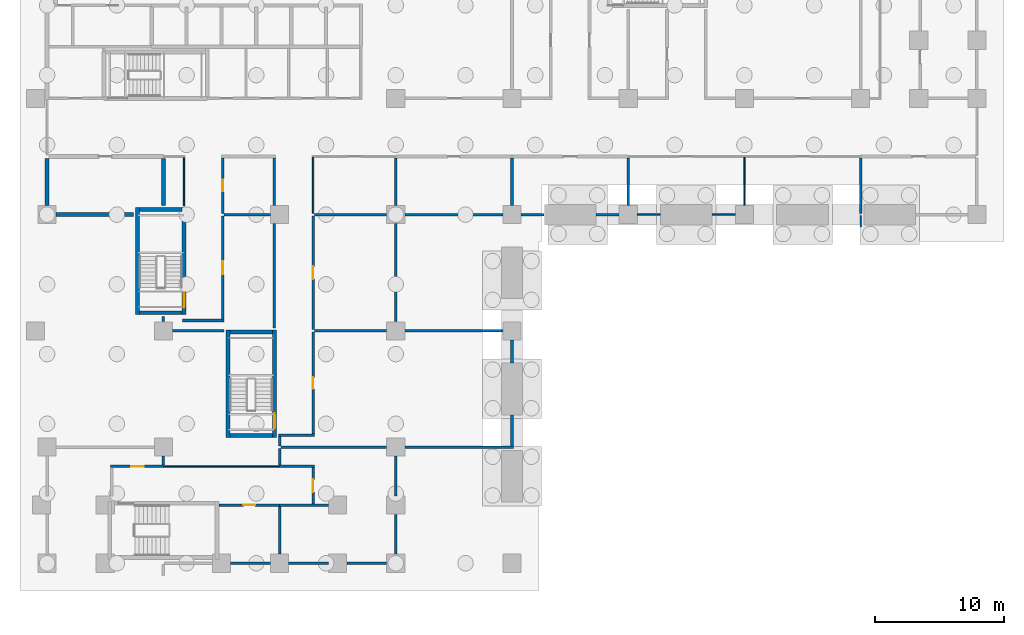
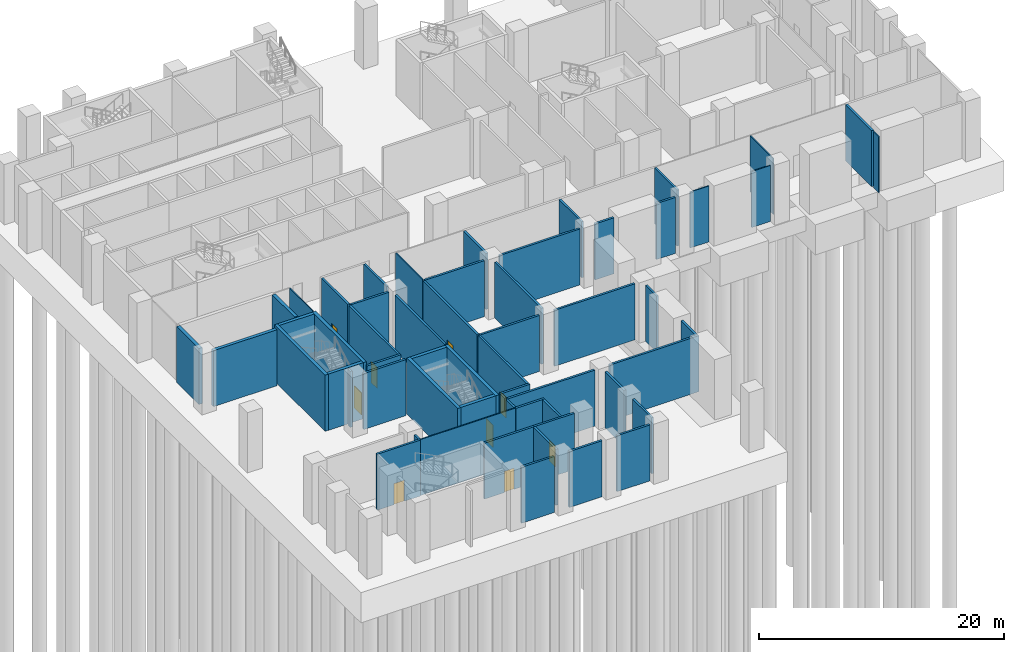
# One storey, part 3 of 12: 58 walls, 9 doors, 9 openings.
"""IFC4 building model written with IfcOpenShell, lengths in metres."""

from ifc_helpers import new_model, si_unit, direction, frame, frame_2d, origin, place, context, subcontext, project, spatial, rectangle, extrude, material, layer, layer_set, type_object, element, fill, save


model = new_model("IFC4")

# Units and contexts
model_context = context("Model", 3, precision=1e-05, world=origin(), true_north=direction((0.0, 1.0)))
body_context = subcontext(model_context, "Body", "Model", "MODEL_VIEW")
ifc_project = project(units=[si_unit("LENGTHUNIT", "METRE"), si_unit("AREAUNIT", "SQUARE_METRE"), si_unit("VOLUMEUNIT", "CUBIC_METRE"), si_unit("PLANEANGLEUNIT", "RADIAN"), si_unit("MASSUNIT", "GRAM", prefix="KILO")], contexts=[model_context])

# Site, building, storey
site_placement = place(None, origin())
site = spatial("IfcSite", under=ifc_project, at=site_placement, CompositionType="ELEMENT")
building_placement = place(site_placement, origin())
building = spatial("IfcBuilding", under=site, at=building_placement, Name="Brondeck Convention Tower", CompositionType="ELEMENT")
storey_placement = place(building_placement, frame((0.0, 0.0, -6.0)))
storey = spatial("IfcBuildingStorey", under=building, at=storey_placement, Name="B1", CompositionType="ELEMENT", Elevation=-6.0)

# Walls
ifc_material_1 = material(Name="Concrete compartment wall C30/37", Category="concrete")
ifc_layer_1 = layer(ifc_material_1, 0.300048828125)
ifc_layer_set_1 = layer_set([ifc_layer_1], Name="Compartment wall 300")
wall_type_1 = type_object("IfcWallType", Name="Compartment wall 300", PredefinedType="PARTITIONING", material=ifc_layer_set_1)
wall_1_placement = place(storey_placement, frame((6.699951171875, 27.0, 0.0), z_axis=(0.0, 0.0, 1.0), x_axis=(-1.0, 0.0, 0.0)))
element("IfcWall", 1, at=wall_1_placement, inside=storey, type_object=wall_type_1, Name="FLR-B1-W038", PredefinedType="PARTITIONING", context=body_context, shape_type="SweptSolid", body=[
    extrude(rectangle(XDim=5.994873046875, YDim=0.300048828125, at=frame_2d((2.99755859375, 0.0))), origin(), (0.0, 0.0, 1.0), 5.580078125),
])
wall_2_placement = place(storey_placement, frame((0.0, 27.705078125, 0.0), z_axis=(0.0, 0.0, 1.0), x_axis=(0.0, 1.0, 0.0)))
element("IfcWall", 2, at=wall_2_placement, inside=storey, type_object=wall_type_1, Name="FLR-B1-W048", PredefinedType="PARTITIONING", context=body_context, shape_type="SweptSolid", body=[
    extrude(rectangle(XDim=3.64501953125, YDim=0.300048828125, at=frame_2d((1.822509765625, 0.0))), origin(), (0.0, 0.0, 1.0), 5.580078125),
])
wall_3_placement = place(storey_placement, frame((9.0, 31.35009765625, 0.0), z_axis=(0.0, 0.0, 1.0), x_axis=(0.0, -1.0, 0.0)))
element("IfcWall", 3, at=wall_3_placement, inside=storey, type_object=wall_type_1, Name="FLR-B1-W052", PredefinedType="PARTITIONING", context=body_context, shape_type="SweptSolid", body=[
    extrude(rectangle(XDim=3.650146484375, YDim=0.300048828125, at=frame_2d((1.8251953125, 0.0))), origin(), (0.0, 0.0, 1.0), 5.580078125),
])
ifc_material_2 = material(Name="Concrete block wall C16/20", Category="concrete")
ifc_layer_2 = layer(ifc_material_2, 0.199951171875)
ifc_layer_set_2 = layer_set([ifc_layer_2], Name="Plant room wall 200")
wall_type_2 = type_object("IfcWallType", Name="Plant room wall 200", PredefinedType="PARTITIONING", material=ifc_layer_set_2)
for number, where, z_axis, x_axis, name in (
    (4, (17.294921875, 0.0, 0.0), (0.0, 0.0, 1.0), (-1.0, 0.0, 0.0), "FLR-B1-W003"),
    (5, (21.794921875, 0.0, 0.0), (0.0, 0.0, 1.0), (-1.0, 0.0, 0.0), "FLR-B1-W004"),
    (6, (26.294921875, 0.0, 0.0), (0.0, 0.0, 1.0), (-1.0, 0.0, 0.0), "FLR-B1-W005"),
    (7, (27.0, 3.794921875, 0.0), (0.0, 0.0, 1.0), (0.0, -1.0, 0.0), "FLR-B1-W007"),
):
    element("IfcWall", number, at=place(storey_placement, frame(where, z_axis=z_axis, x_axis=x_axis)), inside=storey, type_object=wall_type_2, Name=name, PredefinedType="PARTITIONING", context=body_context, shape_type="SweptSolid", body=[
        extrude(rectangle(XDim=3.08984375, YDim=0.199951171875, at=frame_2d((1.544921875, 0.0))), origin(), (0.0, 0.0, 1.0), 5.580078125),
    ])
wall_4_placement = place(storey_placement, frame((18.0, 4.39990234375, 0.0), z_axis=(0.0, 0.0, 1.0), x_axis=(0.0, -1.0, 0.0)))
element("IfcWall", 8, at=wall_4_placement, inside=storey, type_object=wall_type_2, Name="FLR-B1-W008", PredefinedType="PARTITIONING", context=body_context, shape_type="SweptSolid", body=[
    extrude(rectangle(XDim=3.69482421875, YDim=0.199951171875, at=frame_2d((1.847412109375, 0.0))), origin(), (0.0, 0.0, 1.0), 5.580078125),
])

# Wall, opening, door
wall_5_placement = place(storey_placement, frame((18.0, 4.5, 0.0), z_axis=(0.0, 0.0, 1.0), x_axis=(-1.0, 0.0, 0.0)))
wall_5 = element("IfcWall", 9, at=wall_5_placement, inside=storey, type_object=wall_type_2, Name="FLR-B1-W009", PredefinedType="PARTITIONING", context=body_context, shape_type="SweptSolid", body=[
    extrude(rectangle(XDim=4.699951171875, YDim=0.199951171875, at=frame_2d((2.35009765625, 0.0))), origin(), (0.0, 0.0, 1.0), 5.580078125),
])
opening_1_placement = place(wall_5_placement, frame((1.89990234375, 0.0, 0.0)))
opening_1 = element("IfcOpeningElement", 10, at=opening_1_placement, cuts=wall_5, Name="Opening P-B1-001", PredefinedType="OPENING", context=body_context, shape_type="SweptSolid", body=[
    extrude(rectangle(XDim=0.89990234375, YDim=2.10009765625, at=frame_2d((0.449951171875, 1.050048828125))), frame((0.0, 0.10986328125, 0.0), z_axis=(0.0, -1.0, 0.0), x_axis=(1.0, 0.0, 0.0)), (0.0, 0.0, 1.0), 0.219970703125),
])
ifc_material_3 = material(Name="Solid timber door leaf", Category="wood")
door_type_1 = type_object("IfcDoorType", Name="Single door 900", OperationType="NOTDEFINED", PredefinedType="DOOR", material=ifc_material_3)
door_1_placement = place(opening_1_placement, origin())
door_1 = element("IfcDoor", 11, at=door_1_placement, inside=storey, type_object=door_type_1, Name="Door P-B1-001", OperationType="SINGLE_SWING_LEFT", OverallHeight=2.10009765625, OverallWidth=0.89990234375, PredefinedType="DOOR", context=body_context, shape_type="SweptSolid", body=[
    extrude(rectangle(XDim=0.89990234375, YDim=2.10009765625, at=frame_2d((0.449951171875, 1.050048828125))), frame((0.0, 0.02490234375, 0.0), z_axis=(0.0, -1.0, 0.0), x_axis=(1.0, 0.0, 0.0)), (0.0, 0.0, 1.0), 0.050048828125),
])
fill(opening_1, door_1)

# Wall
wall_6_placement = place(storey_placement, frame((21.780029296875, 4.5, 0.0), z_axis=(0.0, 0.0, 1.0), x_axis=(-1.0, 0.0, 0.0)))
element("IfcWall", 12, at=wall_6_placement, inside=storey, type_object=wall_type_2, Name="FLR-B1-W010", PredefinedType="PARTITIONING", context=body_context, shape_type="SweptSolid", body=[
    extrude(rectangle(XDim=3.780029296875, YDim=0.199951171875, at=frame_2d((1.89013671875, 0.0))), origin(), (0.0, 0.0, 1.0), 5.580078125),
])

# Wall, opening, door
wall_7_placement = place(storey_placement, frame((20.60009765625, 7.39990234375, 0.0), z_axis=(0.0, 0.0, 1.0), x_axis=(0.0, -1.0, 0.0)))
wall_7 = element("IfcWall", 13, at=wall_7_placement, inside=storey, type_object=wall_type_2, Name="FLR-B1-W013", PredefinedType="PARTITIONING", context=body_context, shape_type="SweptSolid", body=[
    extrude(rectangle(XDim=2.7998046875, YDim=0.199951171875, at=frame_2d((1.39990234375, 0.0))), origin(), (0.0, 0.0, 1.0), 5.580078125),
])
opening_2_placement = place(wall_7_placement, frame((0.89990234375, 0.0, 0.0)))
opening_2 = element("IfcOpeningElement", 14, at=opening_2_placement, cuts=wall_7, Name="Opening P-B1-003", PredefinedType="OPENING", context=body_context, shape_type="SweptSolid", body=[
    extrude(rectangle(XDim=1.0, YDim=2.10009765625, at=frame_2d((0.5, 1.050048828125))), frame((0.0, 0.10986328125, 0.0), z_axis=(0.0, -1.0, 0.0), x_axis=(1.0, 0.0, 0.0)), (0.0, 0.0, 1.0), 0.219970703125),
])
ifc_material_4 = material(Name="Steel fire door leaf", Category="steel")
door_type_2 = type_object("IfcDoorType", Name="Plant room door 1000", OperationType="NOTDEFINED", PredefinedType="DOOR", material=ifc_material_4)
door_2_placement = place(opening_2_placement, origin())
door_2 = element("IfcDoor", 15, at=door_2_placement, inside=storey, type_object=door_type_2, Name="Door P-B1-003", OperationType="SINGLE_SWING_LEFT", OverallHeight=2.10009765625, OverallWidth=1.0, PredefinedType="DOOR", context=body_context, shape_type="SweptSolid", body=[
    extrude(rectangle(XDim=1.0, YDim=2.10009765625, at=frame_2d((0.5, 1.050048828125))), frame((0.0, 0.02490234375, 0.0), z_axis=(0.0, -1.0, 0.0), x_axis=(1.0, 0.0, 0.0)), (0.0, 0.0, 1.0), 0.050048828125),
])
fill(opening_2, door_2)

wall_8_placement = place(storey_placement, frame((4.89990234375, 7.5, 0.0), z_axis=(0.0, 0.0, 1.0), x_axis=(1.0, 0.0, 0.0)))
wall_8 = element("IfcWall", 16, at=wall_8_placement, inside=storey, type_object=wall_type_2, Name="FLR-B1-W014", PredefinedType="PARTITIONING", context=body_context, shape_type="SweptSolid", body=[
    extrude(rectangle(XDim=4.10009765625, YDim=0.199951171875, at=frame_2d((2.050048828125, 0.0))), origin(), (0.0, 0.0, 1.0), 5.580078125),
])
opening_3_placement = place(wall_8_placement, frame((1.60009765625, 0.0, 0.0)))
opening_3 = element("IfcOpeningElement", 17, at=opening_3_placement, cuts=wall_8, Name="Opening P-B1-002", PredefinedType="OPENING", context=body_context, shape_type="SweptSolid", body=[
    extrude(rectangle(XDim=1.0, YDim=2.10009765625, at=frame_2d((0.5, 1.050048828125))), frame((0.0, 0.10986328125, 0.0), z_axis=(0.0, -1.0, 0.0), x_axis=(1.0, 0.0, 0.0)), (0.0, 0.0, 1.0), 0.219970703125),
])
door_3_placement = place(opening_3_placement, origin())
door_3 = element("IfcDoor", 18, at=door_3_placement, inside=storey, type_object=door_type_2, Name="Door P-B1-002", OperationType="SINGLE_SWING_LEFT", OverallHeight=2.10009765625, OverallWidth=1.0, PredefinedType="DOOR", context=body_context, shape_type="SweptSolid", body=[
    extrude(rectangle(XDim=1.0, YDim=2.10009765625, at=frame_2d((0.5, 1.050048828125))), frame((0.0, 0.02490234375, 0.0), z_axis=(0.0, -1.0, 0.0), x_axis=(1.0, 0.0, 0.0)), (0.0, 0.0, 1.0), 0.050048828125),
])
fill(opening_3, door_3)

# Walls
wall_9_placement = place(storey_placement, frame((18.0, 7.5, 0.0), z_axis=(0.0, 0.0, 1.0), x_axis=(1.0, 0.0, 0.0)))
element("IfcWall", 19, at=wall_9_placement, inside=storey, type_object=wall_type_2, Name="FLR-B1-W016", PredefinedType="PARTITIONING", context=body_context, shape_type="SweptSolid", body=[
    extrude(rectangle(XDim=2.699951171875, YDim=0.199951171875, at=frame_2d((1.35009765625, 0.0))), origin(), (0.0, 0.0, 1.0), 5.580078125),
])
wall_10_placement = place(storey_placement, frame((18.0, 7.60009765625, 0.0), z_axis=(0.0, 0.0, 1.0), x_axis=(0.0, 1.0, 0.0)))
element("IfcWall", 20, at=wall_10_placement, inside=storey, type_object=wall_type_2, Name="FLR-B1-W017", PredefinedType="PARTITIONING", context=body_context, shape_type="SweptSolid", body=[
    extrude(rectangle(XDim=1.2998046875, YDim=0.199951171875, at=frame_2d((0.64990234375, 0.0))), origin(), (0.0, 0.0, 1.0), 5.580078125),
])
wall_11_placement = place(storey_placement, frame((9.0, 8.294921875, 0.0), z_axis=(0.0, 0.0, 1.0), x_axis=(0.0, -1.0, 0.0)))
element("IfcWall", 21, at=wall_11_placement, inside=storey, type_object=wall_type_2, Name="FLR-B1-W018", PredefinedType="PARTITIONING", context=body_context, shape_type="SweptSolid", body=[
    extrude(rectangle(XDim=0.69482421875, YDim=0.199951171875, at=frame_2d((0.347412109375, 0.0))), origin(), (0.0, 0.0, 1.0), 5.580078125),
])
wall_12_placement = place(storey_placement, frame((27.0, 8.294921875, 0.0), z_axis=(0.0, 0.0, 1.0), x_axis=(0.0, -1.0, 0.0)))
element("IfcWall", 22, at=wall_12_placement, inside=storey, type_object=wall_type_2, Name="FLR-B1-W019", PredefinedType="PARTITIONING", context=body_context, shape_type="SweptSolid", body=[
    extrude(rectangle(XDim=3.08984375, YDim=0.199951171875, at=frame_2d((1.544921875, 0.0))), origin(), (0.0, 0.0, 1.0), 5.580078125),
])
wall_13_placement = place(storey_placement, frame((18.10009765625, 9.0, 0.0), z_axis=(0.0, 0.0, 1.0), x_axis=(1.0, 0.0, 0.0)))
element("IfcWall", 23, at=wall_13_placement, inside=storey, type_object=wall_type_2, Name="FLR-B1-W021", PredefinedType="PARTITIONING", context=body_context, shape_type="SweptSolid", body=[
    extrude(rectangle(XDim=8.19482421875, YDim=0.199951171875, at=frame_2d((4.097412109375, 0.0))), origin(), (0.0, 0.0, 1.0), 5.580078125),
])
wall_14_placement = place(storey_placement, frame((36.10009765625, 9.0, 0.0), z_axis=(0.0, 0.0, 1.0), x_axis=(-1.0, 0.0, 0.0)))
element("IfcWall", 24, at=wall_14_placement, inside=storey, type_object=wall_type_2, Name="FLR-B1-W022", PredefinedType="PARTITIONING", context=body_context, shape_type="SweptSolid", body=[
    extrude(rectangle(XDim=8.39501953125, YDim=0.199951171875, at=frame_2d((4.197509765625, 0.0))), origin(), (0.0, 0.0, 1.0), 5.580078125),
])
wall_15_placement = place(storey_placement, frame((18.0, 9.10009765625, 0.0), z_axis=(0.0, 0.0, 1.0), x_axis=(0.0, 1.0, 0.0)))
element("IfcWall", 25, at=wall_15_placement, inside=storey, type_object=wall_type_2, Name="FLR-B1-W023", PredefinedType="PARTITIONING", context=body_context, shape_type="SweptSolid", body=[
    extrude(rectangle(XDim=0.699951171875, YDim=0.199951171875, at=frame_2d((0.35009765625, 0.0))), origin(), (0.0, 0.0, 1.0), 5.580078125),
])
wall_16_placement = place(storey_placement, frame((20.699951171875, 9.89990234375, 0.0), z_axis=(0.0, 0.0, 1.0), x_axis=(-1.0, 0.0, 0.0)))
element("IfcWall", 26, at=wall_16_placement, inside=storey, type_object=wall_type_2, Name="FLR-B1-W024", PredefinedType="PARTITIONING", context=body_context, shape_type="SweptSolid", body=[
    extrude(rectangle(XDim=2.800048828125, YDim=0.199951171875, at=frame_2d((1.39990234375, 0.0))), origin(), (0.0, 0.0, 1.0), 5.580078125),
])
wall_17_placement = place(storey_placement, frame((36.0, 11.4951171875, 0.0), z_axis=(0.0, 0.0, 1.0), x_axis=(0.0, -1.0, 0.0)))
element("IfcWall", 27, at=wall_17_placement, inside=storey, type_object=wall_type_2, Name="FLR-B1-W025", PredefinedType="PARTITIONING", context=body_context, shape_type="SweptSolid", body=[
    extrude(rectangle(XDim=2.39501953125, YDim=0.199951171875, at=frame_2d((1.197509765625, 0.0))), origin(), (0.0, 0.0, 1.0), 5.580078125),
])
wall_18_placement = place(storey_placement, frame((36.0, 17.294921875, 0.0), z_axis=(0.0, 0.0, 1.0), x_axis=(0.0, -1.0, 0.0)))
element("IfcWall", 28, at=wall_18_placement, inside=storey, type_object=wall_type_2, Name="FLR-B1-W026", PredefinedType="PARTITIONING", context=body_context, shape_type="SweptSolid", body=[
    extrude(rectangle(XDim=1.7900390625, YDim=0.199951171875, at=frame_2d((0.89501953125, 0.0))), origin(), (0.0, 0.0, 1.0), 5.580078125),
])

# Wall, opening, door
wall_19_placement = place(storey_placement, frame((20.60009765625, 17.89990234375, 0.0), z_axis=(0.0, 0.0, 1.0), x_axis=(0.0, -1.0, 0.0)))
wall_19 = element("IfcWall", 29, at=wall_19_placement, inside=storey, type_object=wall_type_2, Name="FLR-B1-W027", PredefinedType="PARTITIONING", context=body_context, shape_type="SweptSolid", body=[
    extrude(rectangle(XDim=7.89990234375, YDim=0.199951171875, at=frame_2d((3.949951171875, 0.0))), origin(), (0.0, 0.0, 1.0), 5.580078125),
])
opening_4_placement = place(wall_19_placement, frame((3.5, 0.0, 0.0)))
opening_4 = element("IfcOpeningElement", 30, at=opening_4_placement, cuts=wall_19, Name="Opening P-B1-004", PredefinedType="OPENING", context=body_context, shape_type="SweptSolid", body=[
    extrude(rectangle(XDim=0.89990234375, YDim=2.10009765625, at=frame_2d((0.449951171875, 1.050048828125))), frame((0.0, 0.10986328125, 0.0), z_axis=(0.0, -1.0, 0.0), x_axis=(1.0, 0.0, 0.0)), (0.0, 0.0, 1.0), 0.219970703125),
])
door_4_placement = place(opening_4_placement, origin())
door_4 = element("IfcDoor", 31, at=door_4_placement, inside=storey, type_object=door_type_1, Name="Door P-B1-004", OperationType="SINGLE_SWING_RIGHT", OverallHeight=2.10009765625, OverallWidth=0.89990234375, PredefinedType="DOOR", context=body_context, shape_type="SweptSolid", body=[
    extrude(rectangle(XDim=0.89990234375, YDim=2.10009765625, at=frame_2d((0.449951171875, 1.050048828125))), frame((0.0, 0.02490234375, 0.0), z_axis=(0.0, -1.0, 0.0), x_axis=(1.0, 0.0, 0.0)), (0.0, 0.0, 1.0), 0.050048828125),
])
fill(opening_4, door_4)

# Walls
wall_20_placement = place(storey_placement, frame((13.699951171875, 18.0, 0.0), z_axis=(0.0, 0.0, 1.0), x_axis=(-1.0, 0.0, 0.0)))
element("IfcWall", 32, at=wall_20_placement, inside=storey, type_object=wall_type_2, Name="FLR-B1-W028", PredefinedType="PARTITIONING", context=body_context, shape_type="SweptSolid", body=[
    extrude(rectangle(XDim=3.994873046875, YDim=0.199951171875, at=frame_2d((1.99755859375, 0.0))), origin(), (0.0, 0.0, 1.0), 5.580078125),
])
wall_21_placement = place(storey_placement, frame((20.699951171875, 18.0, 0.0), z_axis=(0.0, 0.0, 1.0), x_axis=(1.0, 0.0, 0.0)))
element("IfcWall", 33, at=wall_21_placement, inside=storey, type_object=wall_type_2, Name="FLR-B1-W029", PredefinedType="PARTITIONING", context=body_context, shape_type="SweptSolid", body=[
    extrude(rectangle(XDim=5.594970703125, YDim=0.199951171875, at=frame_2d((2.79736328125, 0.0))), origin(), (0.0, 0.0, 1.0), 5.580078125),
])
wall_22_placement = place(storey_placement, frame((27.705078125, 18.0, 0.0), z_axis=(0.0, 0.0, 1.0), x_axis=(1.0, 0.0, 0.0)))
element("IfcWall", 34, at=wall_22_placement, inside=storey, type_object=wall_type_2, Name="FLR-B1-W030", PredefinedType="PARTITIONING", context=body_context, shape_type="SweptSolid", body=[
    extrude(rectangle(XDim=7.58984375, YDim=0.199951171875, at=frame_2d((3.794921875, 0.0))), origin(), (0.0, 0.0, 1.0), 5.580078125),
])
wall_23_placement = place(storey_placement, frame((17.60009765625, 18.199951171875, 0.0), z_axis=(0.0, 0.0, 1.0), x_axis=(0.0, 1.0, 0.0)))
element("IfcWall", 35, at=wall_23_placement, inside=storey, type_object=wall_type_2, Name="FLR-B1-W031", PredefinedType="PARTITIONING", context=body_context, shape_type="SweptSolid", body=[
    extrude(rectangle(XDim=8.094970703125, YDim=0.199951171875, at=frame_2d((4.04736328125, 0.0))), origin(), (0.0, 0.0, 1.0), 5.580078125),
])
wall_24_placement = place(storey_placement, frame((9.0, 18.705078125, 0.0), z_axis=(0.0, 0.0, 1.0), x_axis=(0.0, 1.0, 0.0)))
element("IfcWall", 36, at=wall_24_placement, inside=storey, type_object=wall_type_2, Name="FLR-B1-W032", PredefinedType="PARTITIONING", context=body_context, shape_type="SweptSolid", body=[
    extrude(rectangle(XDim=0.39501953125, YDim=0.199951171875, at=frame_2d((0.197509765625, 0.0))), origin(), (0.0, 0.0, 1.0), 5.580078125),
])
wall_25_placement = place(storey_placement, frame((13.699951171875, 18.800048828125, 0.0), z_axis=(0.0, 0.0, 1.0), x_axis=(-1.0, 0.0, 0.0)))
element("IfcWall", 37, at=wall_25_placement, inside=storey, type_object=wall_type_2, Name="FLR-B1-W033", PredefinedType="PARTITIONING", context=body_context, shape_type="SweptSolid", body=[
    extrude(rectangle(XDim=3.199951171875, YDim=0.199951171875, at=frame_2d((1.60009765625, 0.0))), origin(), (0.0, 0.0, 1.0), 5.580078125),
])
wall_26_placement = place(storey_placement, frame((27.0, 26.294921875, 0.0), z_axis=(0.0, 0.0, 1.0), x_axis=(0.0, -1.0, 0.0)))
element("IfcWall", 38, at=wall_26_placement, inside=storey, type_object=wall_type_2, Name="FLR-B1-W034", PredefinedType="PARTITIONING", context=body_context, shape_type="SweptSolid", body=[
    extrude(rectangle(XDim=7.58984375, YDim=0.199951171875, at=frame_2d((3.794921875, 0.0))), origin(), (0.0, 0.0, 1.0), 5.580078125),
])

# Wall, opening, door
wall_27_placement = place(storey_placement, frame((13.60009765625, 26.89990234375, 0.0), z_axis=(0.0, 0.0, 1.0), x_axis=(0.0, -1.0, 0.0)))
wall_27 = element("IfcWall", 39, at=wall_27_placement, inside=storey, type_object=wall_type_2, Name="FLR-B1-W035", PredefinedType="PARTITIONING", context=body_context, shape_type="SweptSolid", body=[
    extrude(rectangle(XDim=8.0, YDim=0.199951171875, at=frame_2d((4.0, 0.0))), origin(), (0.0, 0.0, 1.0), 5.580078125),
])
opening_5_placement = place(wall_27_placement, frame((3.5, 0.0, 0.0)))
opening_5 = element("IfcOpeningElement", 40, at=opening_5_placement, cuts=wall_27, Name="Opening P-B1-005", PredefinedType="OPENING", context=body_context, shape_type="SweptSolid", body=[
    extrude(rectangle(XDim=1.0, YDim=2.10009765625, at=frame_2d((0.5, 1.050048828125))), frame((0.0, 0.10986328125, 0.0), z_axis=(0.0, -1.0, 0.0), x_axis=(1.0, 0.0, 0.0)), (0.0, 0.0, 1.0), 0.219970703125),
])
door_5_placement = place(opening_5_placement, origin())
door_5 = element("IfcDoor", 41, at=door_5_placement, inside=storey, type_object=door_type_2, Name="Door P-B1-005", OperationType="SINGLE_SWING_LEFT", OverallHeight=2.10009765625, OverallWidth=1.0, PredefinedType="DOOR", context=body_context, shape_type="SweptSolid", body=[
    extrude(rectangle(XDim=1.0, YDim=2.10009765625, at=frame_2d((0.5, 1.050048828125))), frame((0.0, 0.02490234375, 0.0), z_axis=(0.0, -1.0, 0.0), x_axis=(1.0, 0.0, 0.0)), (0.0, 0.0, 1.0), 0.050048828125),
])
fill(opening_5, door_5)

wall_28_placement = place(storey_placement, frame((20.60009765625, 26.89990234375, 0.0), z_axis=(0.0, 0.0, 1.0), x_axis=(0.0, -1.0, 0.0)))
wall_28 = element("IfcWall", 42, at=wall_28_placement, inside=storey, type_object=wall_type_2, Name="FLR-B1-W036", PredefinedType="PARTITIONING", context=body_context, shape_type="SweptSolid", body=[
    extrude(rectangle(XDim=8.7998046875, YDim=0.199951171875, at=frame_2d((4.39990234375, 0.0))), origin(), (0.0, 0.0, 1.0), 5.580078125),
])
opening_6_placement = place(wall_28_placement, frame((3.89990234375, 0.0, 0.0)))
opening_6 = element("IfcOpeningElement", 43, at=opening_6_placement, cuts=wall_28, Name="Opening P-B1-006", PredefinedType="OPENING", context=body_context, shape_type="SweptSolid", body=[
    extrude(rectangle(XDim=1.0, YDim=2.10009765625, at=frame_2d((0.5, 1.050048828125))), frame((0.0, 0.10986328125, 0.0), z_axis=(0.0, -1.0, 0.0), x_axis=(1.0, 0.0, 0.0)), (0.0, 0.0, 1.0), 0.219970703125),
])
door_6_placement = place(opening_6_placement, origin())
door_6 = element("IfcDoor", 44, at=door_6_placement, inside=storey, type_object=door_type_2, Name="Door P-B1-006", OperationType="SINGLE_SWING_LEFT", OverallHeight=2.10009765625, OverallWidth=1.0, PredefinedType="DOOR", context=body_context, shape_type="SweptSolid", body=[
    extrude(rectangle(XDim=1.0, YDim=2.10009765625, at=frame_2d((0.5, 1.050048828125))), frame((0.0, 0.02490234375, 0.0), z_axis=(0.0, -1.0, 0.0), x_axis=(1.0, 0.0, 0.0)), (0.0, 0.0, 1.0), 0.050048828125),
])
fill(opening_6, door_6)

# Walls
wall_29_placement = place(storey_placement, frame((13.699951171875, 27.0, 0.0), z_axis=(0.0, 0.0, 1.0), x_axis=(1.0, 0.0, 0.0)))
element("IfcWall", 45, at=wall_29_placement, inside=storey, type_object=wall_type_2, Name="FLR-B1-W039", PredefinedType="PARTITIONING", context=body_context, shape_type="SweptSolid", body=[
    extrude(rectangle(XDim=3.594970703125, YDim=0.199951171875, at=frame_2d((1.79736328125, 0.0))), origin(), (0.0, 0.0, 1.0), 5.580078125),
])
wall_30_placement = place(storey_placement, frame((20.699951171875, 27.0, 0.0), z_axis=(0.0, 0.0, 1.0), x_axis=(1.0, 0.0, 0.0)))
element("IfcWall", 46, at=wall_30_placement, inside=storey, type_object=wall_type_2, Name="FLR-B1-W040", PredefinedType="PARTITIONING", context=body_context, shape_type="SweptSolid", body=[
    extrude(rectangle(XDim=5.594970703125, YDim=0.199951171875, at=frame_2d((2.79736328125, 0.0))), origin(), (0.0, 0.0, 1.0), 5.580078125),
])
wall_31_placement = place(storey_placement, frame((35.294921875, 27.0, 0.0), z_axis=(0.0, 0.0, 1.0), x_axis=(-1.0, 0.0, 0.0)))
element("IfcWall", 47, at=wall_31_placement, inside=storey, type_object=wall_type_2, Name="FLR-B1-W041", PredefinedType="PARTITIONING", context=body_context, shape_type="SweptSolid", body=[
    extrude(rectangle(XDim=7.58984375, YDim=0.199951171875, at=frame_2d((3.794921875, 0.0))), origin(), (0.0, 0.0, 1.0), 5.580078125),
])
for number, where, z_axis, x_axis, name in (
    (48, (38.4951171875, 27.0, 0.0), (0.0, 0.0, 1.0), (-1.0, 0.0, 0.0), "FLR-B1-W042"),
    (49, (44.294921875, 27.0, 0.0), (0.0, 0.0, 1.0), (-1.0, 0.0, 0.0), "FLR-B1-W043"),
):
    element("IfcWall", number, at=place(storey_placement, frame(where, z_axis=z_axis, x_axis=x_axis)), inside=storey, type_object=wall_type_2, Name=name, PredefinedType="PARTITIONING", context=body_context, shape_type="SweptSolid", body=[
        extrude(rectangle(XDim=1.7900390625, YDim=0.199951171875, at=frame_2d((0.89501953125, 0.0))), origin(), (0.0, 0.0, 1.0), 5.580078125),
    ])
for number, where, z_axis, x_axis, name in (
    (50, (17.60009765625, 27.705078125, 0.0), (0.0, 0.0, 1.0), (0.0, 1.0, 0.0), "FLR-B1-W049"),
    (51, (27.0, 27.705078125, 0.0), (0.0, 0.0, 1.0), (0.0, 1.0, 0.0), "FLR-B1-W050"),
):
    element("IfcWall", number, at=place(storey_placement, frame(where, z_axis=z_axis, x_axis=x_axis)), inside=storey, type_object=wall_type_2, Name=name, PredefinedType="PARTITIONING", context=body_context, shape_type="SweptSolid", body=[
        extrude(rectangle(XDim=3.69482421875, YDim=0.199951171875, at=frame_2d((1.847412109375, 0.0))), origin(), (0.0, 0.0, 1.0), 5.580078125),
    ])

# Wall, opening, door
wall_32_placement = place(storey_placement, frame((13.60009765625, 31.39990234375, 0.0), z_axis=(0.0, 0.0, 1.0), x_axis=(0.0, -1.0, 0.0)))
wall_32 = element("IfcWall", 52, at=wall_32_placement, inside=storey, type_object=wall_type_2, Name="FLR-B1-W053", PredefinedType="PARTITIONING", context=body_context, shape_type="SweptSolid", body=[
    extrude(rectangle(XDim=4.2998046875, YDim=0.199951171875, at=frame_2d((2.14990234375, 0.0))), origin(), (0.0, 0.0, 1.0), 5.580078125),
])
opening_7_placement = place(wall_32_placement, frame((1.699951171875, 0.0, 0.0)))
opening_7 = element("IfcOpeningElement", 53, at=opening_7_placement, cuts=wall_32, Name="Opening P-B1-008", PredefinedType="OPENING", context=body_context, shape_type="SweptSolid", body=[
    extrude(rectangle(XDim=0.89990234375, YDim=2.10009765625, at=frame_2d((0.449951171875, 1.050048828125))), frame((0.0, 0.10986328125, 0.0), z_axis=(0.0, -1.0, 0.0), x_axis=(1.0, 0.0, 0.0)), (0.0, 0.0, 1.0), 0.219970703125),
])
door_7_placement = place(opening_7_placement, origin())
door_7 = element("IfcDoor", 54, at=door_7_placement, inside=storey, type_object=door_type_1, Name="Door P-B1-008", OperationType="SINGLE_SWING_LEFT", OverallHeight=2.10009765625, OverallWidth=0.89990234375, PredefinedType="DOOR", context=body_context, shape_type="SweptSolid", body=[
    extrude(rectangle(XDim=0.89990234375, YDim=2.10009765625, at=frame_2d((0.449951171875, 1.050048828125))), frame((0.0, 0.02490234375, 0.0), z_axis=(0.0, -1.0, 0.0), x_axis=(1.0, 0.0, 0.0)), (0.0, 0.0, 1.0), 0.050048828125),
])
fill(opening_7, door_7)

# Walls
for number, where, z_axis, x_axis, name in (
    (55, (36.0, 31.39990234375, 0.0), (0.0, 0.0, 1.0), (0.0, -1.0, 0.0), "FLR-B1-W054"),
    (56, (45.0, 31.39990234375, 0.0), (0.0, 0.0, 1.0), (0.0, -1.0, 0.0), "FLR-B1-W055"),
):
    element("IfcWall", number, at=place(storey_placement, frame(where, z_axis=z_axis, x_axis=x_axis)), inside=storey, type_object=wall_type_2, Name=name, PredefinedType="PARTITIONING", context=body_context, shape_type="SweptSolid", body=[
        extrude(rectangle(XDim=3.69482421875, YDim=0.199951171875, at=frame_2d((1.847412109375, 0.0))), origin(), (0.0, 0.0, 1.0), 5.580078125),
    ])
wall_33_placement = place(storey_placement, frame((63.0, 31.39990234375, 0.0), z_axis=(0.0, 0.0, 1.0), x_axis=(0.0, -1.0, 0.0)))
element("IfcWall", 57, at=wall_33_placement, inside=storey, type_object=wall_type_2, Name="FLR-B1-W056", PredefinedType="PARTITIONING", context=body_context, shape_type="SweptSolid", body=[
    extrude(rectangle(XDim=4.2998046875, YDim=0.199951171875, at=frame_2d((2.14990234375, 0.0))), origin(), (0.0, 0.0, 1.0), 5.580078125),
])
ifc_material_5 = material(Name="Gypsum board partition on steel studs", Category="steel")
ifc_layer_3 = layer(ifc_material_5, 0.10009765625)
ifc_layer_set_3 = layer_set([ifc_layer_3], Name="Room partition 100")
wall_type_3 = type_object("IfcWallType", Name="Room partition 100", PredefinedType="PARTITIONING", material=ifc_layer_set_3)
wall_34_placement = place(storey_placement, frame((9.0, 7.5, 0.0), z_axis=(0.0, 0.0, 1.0), x_axis=(1.0, 0.0, 0.0)))
element("IfcWall", 58, at=wall_34_placement, inside=storey, type_object=wall_type_3, Name="FLR-B1-W015", PredefinedType="PARTITIONING", context=body_context, shape_type="SweptSolid", body=[
    extrude(rectangle(XDim=9.0, YDim=0.10009765625, at=frame_2d((4.5, 0.0))), origin(), (0.0, 0.0, 1.0), 5.580078125),
])
wall_35_placement = place(storey_placement, frame((63.0, 26.89990234375, 0.0), z_axis=(0.0, 0.0, 1.0), x_axis=(0.0, -1.0, 0.0)))
element("IfcWall", 59, at=wall_35_placement, inside=storey, type_object=wall_type_3, Name="FLR-B1-W037", PredefinedType="PARTITIONING", context=body_context, shape_type="SweptSolid", body=[
    extrude(rectangle(XDim=0.829833984375, YDim=0.10009765625, at=frame_2d((0.4150390625, 0.0))), origin(), (0.0, 0.0, 1.0), 5.580078125),
])
for number, where, z_axis, x_axis, name in (
    (60, (47.4951171875, 27.0, 0.0), (0.0, 0.0, 1.0), (-1.0, 0.0, 0.0), "FLR-B1-W044"),
    (61, (53.294921875, 27.0, 0.0), (0.0, 0.0, 1.0), (-1.0, 0.0, 0.0), "FLR-B1-W045"),
):
    element("IfcWall", number, at=place(storey_placement, frame(where, z_axis=z_axis, x_axis=x_axis)), inside=storey, type_object=wall_type_3, Name=name, PredefinedType="PARTITIONING", context=body_context, shape_type="SweptSolid", body=[
        extrude(rectangle(XDim=1.7900390625, YDim=0.10009765625, at=frame_2d((0.89501953125, 0.0))), origin(), (0.0, 0.0, 1.0), 5.580078125),
    ])
wall_36_placement = place(storey_placement, frame((10.60009765625, 27.699951171875, 0.0), z_axis=(0.0, 0.0, 1.0), x_axis=(0.0, 1.0, 0.0)))
element("IfcWall", 62, at=wall_36_placement, inside=storey, type_object=wall_type_3, Name="FLR-B1-W047", PredefinedType="PARTITIONING", context=body_context, shape_type="SweptSolid", body=[
    extrude(rectangle(XDim=3.75, YDim=0.10009765625, at=frame_2d((1.875, 0.0))), origin(), (0.0, 0.0, 1.0), 5.580078125),
])
wall_37_placement = place(storey_placement, frame((54.0, 27.705078125, 0.0), z_axis=(0.0, 0.0, 1.0), x_axis=(0.0, 1.0, 0.0)))
element("IfcWall", 63, at=wall_37_placement, inside=storey, type_object=wall_type_3, Name="FLR-B1-W051", PredefinedType="PARTITIONING", context=body_context, shape_type="SweptSolid", body=[
    extrude(rectangle(XDim=3.744873046875, YDim=0.10009765625, at=frame_2d((1.87255859375, 0.0))), origin(), (0.0, 0.0, 1.0), 5.580078125),
])
wall_38_placement = place(storey_placement, frame((20.60009765625, 31.449951171875, 0.0), z_axis=(0.0, 0.0, 1.0), x_axis=(0.0, -1.0, 0.0)))
element("IfcWall", 64, at=wall_38_placement, inside=storey, type_object=wall_type_3, Name="FLR-B1-W058", PredefinedType="PARTITIONING", context=body_context, shape_type="SweptSolid", body=[
    extrude(rectangle(XDim=4.349853515625, YDim=0.10009765625, at=frame_2d((2.1748046875, 0.0))), origin(), (0.0, 0.0, 1.0), 5.580078125),
])
ifc_material_6 = material(Name="Concrete C80/95", Category="concrete")
ifc_layer_4 = layer(ifc_material_6, 0.300048828125)
ifc_layer_set_4 = layer_set([ifc_layer_4], Name="Stair enclosure wall 300 Concrete C80/95")
wall_type_4 = type_object("IfcWallType", Name="Stair enclosure wall 300 Concrete C80/95", PredefinedType="SHEAR", material=ifc_layer_set_4)
for number, where, z_axis, x_axis, name in (
    (65, (14.14990234375, 9.89990234375, 0.0), (0.0, 0.0, 1.0), (1.0, 0.0, 0.0), "B1 core wall"),
    (66, (14.14990234375, 17.89990234375, 0.0), (0.0, 0.0, 1.0), (1.0, 0.0, 0.0), "B1 core wall"),
    (67, (7.14990234375, 19.39990234375, 0.0), (0.0, 0.0, 1.0), (1.0, 0.0, 0.0), "B1 core wall"),
    (68, (7.14990234375, 27.39990234375, 0.0), (0.0, 0.0, 1.0), (1.0, 0.0, 0.0), "B1 core wall"),
):
    element("IfcWall", number, at=place(storey_placement, frame(where, z_axis=z_axis, x_axis=x_axis)), inside=storey, type_object=wall_type_4, Name=name, PredefinedType="SHEAR", context=body_context, shape_type="SweptSolid", body=[
        extrude(rectangle(XDim=3.300048828125, YDim=0.300048828125, at=frame_2d((1.64990234375, 0.0))), origin(), (0.0, 0.0, 1.0), 5.60009765625),
    ])
wall_39_placement = place(storey_placement, frame((7.0, 19.25, 0.0), z_axis=(0.0, 0.0, 1.0), x_axis=(0.0, 1.0, 0.0)))
element("IfcWall", 69, at=wall_39_placement, inside=storey, type_object=wall_type_4, Name="B1 core wall", PredefinedType="SHEAR", context=body_context, shape_type="SweptSolid", body=[
    extrude(rectangle(XDim=8.300048828125, YDim=0.300048828125, at=frame_2d((4.14990234375, 0.0))), origin(), (0.0, 0.0, 1.0), 5.60009765625),
])

# Wall, opening, door
wall_40_placement = place(storey_placement, frame((10.60009765625, 19.25, 0.0), z_axis=(0.0, 0.0, 1.0), x_axis=(0.0, 1.0, 0.0)))
wall_40 = element("IfcWall", 70, at=wall_40_placement, inside=storey, type_object=wall_type_4, Name="B1 core wall", PredefinedType="SHEAR", context=body_context, shape_type="SweptSolid", body=[
    extrude(rectangle(XDim=8.300048828125, YDim=0.300048828125, at=frame_2d((4.14990234375, 0.0))), origin(), (0.0, 0.0, 1.0), 5.60009765625),
])
opening_8_placement = place(wall_40_placement, frame((0.550048828125, 0.0, 0.0)))
opening_8 = element("IfcOpeningElement", 71, at=opening_8_placement, cuts=wall_40, Name="Opening C01-21", PredefinedType="OPENING", context=body_context, shape_type="SweptSolid", body=[
    extrude(rectangle(XDim=1.199951171875, YDim=2.199951171875, at=frame_2d((0.60009765625, 1.10009765625))), frame((0.0, 0.159912109375, 0.0), z_axis=(0.0, -1.0, 0.0), x_axis=(1.0, 0.0, 0.0)), (0.0, 0.0, 1.0), 0.320068359375),
])
ifc_material_7 = material(Name="Steel fire door", Category="steel")
door_type_3 = type_object("IfcDoorType", Name="Stair door 1200x2200 EI 90", OperationType="NOTDEFINED", PredefinedType="DOOR", material=ifc_material_7)
door_8_placement = place(opening_8_placement, origin())
door_8 = element("IfcDoor", 72, at=door_8_placement, inside=storey, type_object=door_type_3, Name="B1 Stair door ST-BE", OperationType="SINGLE_SWING_RIGHT", OverallHeight=2.199951171875, OverallWidth=1.199951171875, PredefinedType="DOOR", context=body_context, shape_type="SweptSolid", body=[
    extrude(rectangle(XDim=1.199951171875, YDim=2.199951171875, at=frame_2d((0.60009765625, 1.10009765625))), frame((0.0, 0.02490234375, 0.0), z_axis=(0.0, -1.0, 0.0), x_axis=(1.0, 0.0, 0.0)), (0.0, 0.0, 1.0), 0.050048828125),
])
fill(opening_8, door_8)

# Wall
wall_41_placement = place(storey_placement, frame((14.0, 9.75, 0.0), z_axis=(0.0, 0.0, 1.0), x_axis=(0.0, 1.0, 0.0)))
element("IfcWall", 73, at=wall_41_placement, inside=storey, type_object=wall_type_4, Name="B1 core wall", PredefinedType="SHEAR", context=body_context, shape_type="SweptSolid", body=[
    extrude(rectangle(XDim=8.300048828125, YDim=0.300048828125, at=frame_2d((4.14990234375, 0.0))), origin(), (0.0, 0.0, 1.0), 5.60009765625),
])

# Wall, opening, door
wall_42_placement = place(storey_placement, frame((17.60009765625, 9.75, 0.0), z_axis=(0.0, 0.0, 1.0), x_axis=(0.0, 1.0, 0.0)))
wall_42 = element("IfcWall", 74, at=wall_42_placement, inside=storey, type_object=wall_type_4, Name="B1 core wall", PredefinedType="SHEAR", context=body_context, shape_type="SweptSolid", body=[
    extrude(rectangle(XDim=8.300048828125, YDim=0.300048828125, at=frame_2d((4.14990234375, 0.0))), origin(), (0.0, 0.0, 1.0), 5.60009765625),
])
opening_9_placement = place(wall_42_placement, frame((0.64990234375, 0.0, 0.0)))
opening_9 = element("IfcOpeningElement", 75, at=opening_9_placement, cuts=wall_42, Name="Opening C01-22", PredefinedType="OPENING", context=body_context, shape_type="SweptSolid", body=[
    extrude(rectangle(XDim=1.199951171875, YDim=2.199951171875, at=frame_2d((0.60009765625, 1.10009765625))), frame((0.0, 0.159912109375, 0.0), z_axis=(0.0, -1.0, 0.0), x_axis=(1.0, 0.0, 0.0)), (0.0, 0.0, 1.0), 0.320068359375),
])
door_9_placement = place(opening_9_placement, origin())
door_9 = element("IfcDoor", 76, at=door_9_placement, inside=storey, type_object=door_type_3, Name="B1 Stair door ST-BF", OperationType="SINGLE_SWING_LEFT", OverallHeight=2.199951171875, OverallWidth=1.199951171875, PredefinedType="DOOR", context=body_context, shape_type="SweptSolid", body=[
    extrude(rectangle(XDim=1.199951171875, YDim=2.199951171875, at=frame_2d((0.60009765625, 1.10009765625))), frame((0.0, 0.02490234375, 0.0), z_axis=(0.0, -1.0, 0.0), x_axis=(1.0, 0.0, 0.0)), (0.0, 0.0, 1.0), 0.050048828125),
])
fill(opening_9, door_9)

save(model, "model.ifc")
